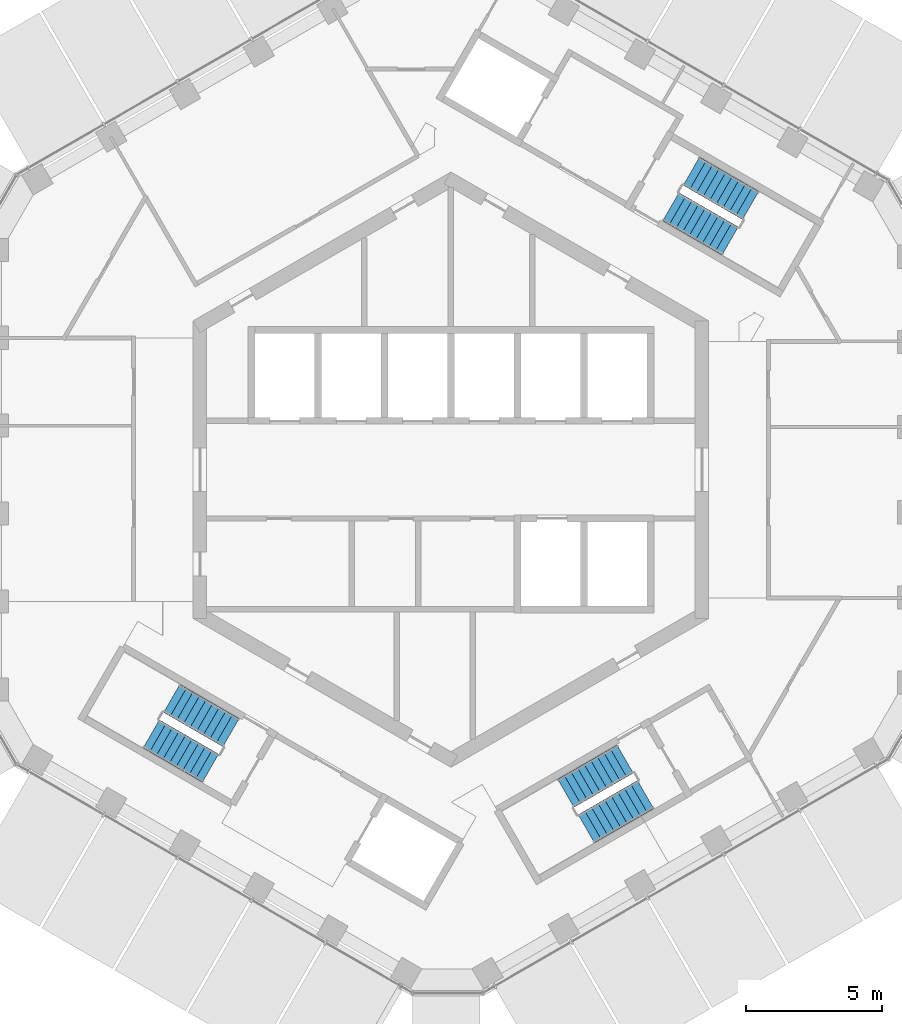
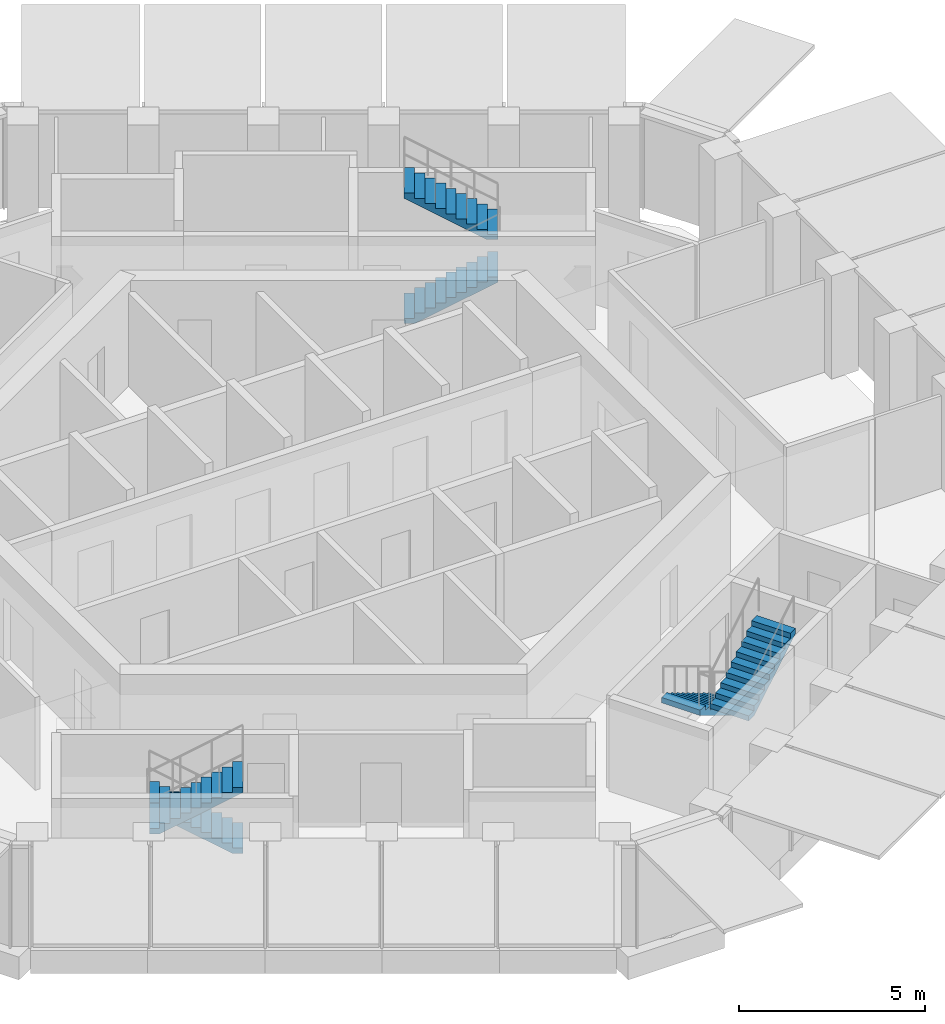
# One storey, part 16 of 17: 6 stair flights, 3 elements without a shape of their own.
"""IFC4 building model written with IfcOpenShell, lengths in metres."""

from ifc_helpers import new_model, si_unit, direction, frame, origin, place, context, subcontext, project, spatial, triangles, material, type_object, element, aggregate, save


model = new_model("IFC4")

# Units and contexts
model_context = context("Model", 3, precision=1e-05, world=origin(), true_north=direction((0.0, 1.0)))
body_context = subcontext(model_context, "Body", "Model", "MODEL_VIEW")
ifc_project = project(units=[si_unit("LENGTHUNIT", "METRE"), si_unit("AREAUNIT", "SQUARE_METRE"), si_unit("VOLUMEUNIT", "CUBIC_METRE"), si_unit("PLANEANGLEUNIT", "RADIAN"), si_unit("MASSUNIT", "GRAM", prefix="KILO")], contexts=[model_context])

# Site, building, storey
site_placement = place(None, origin())
site = spatial("IfcSite", under=ifc_project, at=site_placement, CompositionType="ELEMENT")
building_placement = place(site_placement, origin())
building = spatial("IfcBuilding", under=site, at=building_placement, Name="Ayvan Gate Tower", CompositionType="ELEMENT")
storey_placement = place(building_placement, frame((0.0, 0.0, 225.699951171875)))
storey = spatial("IfcBuildingStorey", under=building, at=storey_placement, Name="L60", CompositionType="ELEMENT", Elevation=225.699951171875)

# Stair, stair flights
ifc_material = material(Name="Concrete C40/50", Category="concrete")
stair_type = type_object("IfcStairType", Name="ST-EXIT", PredefinedType="HALF_TURN_STAIR", material=ifc_material)
stair_1_placement = place(storey_placement, origin())
stair_1 = element("IfcStair", 1, at=stair_1_placement, inside=storey, type_object=stair_type, Name="L60 Exit Stair S1", PredefinedType="HALF_TURN_STAIR")
stair_flight_type = type_object("IfcStairFlightType", Name="SFL-EXIT", PredefinedType="STRAIGHT", material=ifc_material)
stair_flight_1_placement = place(storey_placement, frame((8.106201171875, 9.690185546875, 0.0), z_axis=(0.0, 0.0, 1.0), x_axis=(0.866025403784, -0.5, 0.0)))
stair_flight_1 = element("IfcStairFlight", 2, at=stair_flight_1_placement, type_object=stair_flight_type, Name="STS1 flight 1", NumberOfRisers=10, NumberOfTreads=9, PredefinedType="STRAIGHT", RiserHeight=0.17, TreadLength=0.28, context=body_context, shape_type="Tessellation", body=[
    triangles([(0.288841, -0.599976, 0.0), (2.5205, -0.599976, 1.354936), (2.5205, -0.599976, 1.53), (2.24, -0.599976, 1.53), (2.24, -0.599976, 1.36), (1.96, -0.599976, 1.36), (1.96, -0.599976, 1.19), (1.68, -0.599976, 1.19), (1.68, -0.599976, 1.02), (1.4, -0.599976, 1.02), (1.4, -0.599976, 0.85), (1.12, -0.599976, 0.85), (1.12, -0.599976, 0.68), (0.84, -0.599976, 0.68), (0.84, -0.599976, 0.51), (0.56, -0.599976, 0.51), (0.56, -0.599976, 0.34), (0.28, -0.599976, 0.34), (0.28, -0.599976, 0.17), (-0.0005, -0.599976, 0.17), (-0.0005, -0.599976, 0.0), (0.288841, 0.0, 0.0), (2.5205, 0.0, 1.354936), (2.5205, 0.0, 1.53), (2.24, 0.0, 1.53), (2.24, 0.0, 1.36), (1.96, 0.0, 1.36), (1.96, 0.0, 1.19), (1.68, 0.0, 1.19), (1.68, 0.0, 1.02), (1.4, 0.0, 1.02), (1.4, 0.0, 0.85), (1.12, 0.0, 0.85), (1.12, 0.0, 0.68), (0.84, 0.0, 0.68), (0.84, 0.0, 0.51), (0.56, 0.0, 0.51), (0.56, 0.0, 0.34), (0.28, 0.0, 0.34), (0.28, 0.0, 0.17), (-0.0005, 0.0, 0.17), (-0.0005, 0.0, 0.0), (0.288841, 0.599976, 0.0), (2.5205, 0.599976, 1.354936), (2.5205, 0.599976, 1.53), (2.24, 0.599976, 1.53), (2.24, 0.599976, 1.36), (1.96, 0.599976, 1.36), (1.96, 0.599976, 1.19), (1.68, 0.599976, 1.19), (1.68, 0.599976, 1.02), (1.4, 0.599976, 1.02), (1.4, 0.599976, 0.85), (1.12, 0.599976, 0.85), (1.12, 0.599976, 0.68), (0.84, 0.599976, 0.68), (0.84, 0.599976, 0.51), (0.56, 0.599976, 0.51), (0.56, 0.599976, 0.34), (0.28, 0.599976, 0.34), (0.28, 0.599976, 0.17), (-0.0005, 0.599976, 0.17), (-0.0005, 0.599976, 0.0)], [[21, 1, 2], [63, 44, 43], [2, 3, 4], [44, 46, 45], [2, 4, 5], [44, 47, 46], [2, 5, 6], [44, 48, 47], [2, 6, 7], [44, 49, 48], [7, 8, 9], [49, 51, 50], [2, 7, 9], [44, 51, 49], [9, 10, 11], [51, 53, 52], [2, 9, 11], [44, 53, 51], [11, 12, 13], [53, 55, 54], [2, 11, 13], [44, 55, 53], [13, 14, 15], [55, 57, 56], [2, 13, 15], [44, 57, 55], [15, 16, 17], [57, 59, 58], [2, 15, 17], [44, 59, 57], [17, 18, 19], [59, 61, 60], [2, 17, 19], [44, 61, 59], [21, 2, 19], [63, 61, 44], [19, 20, 21], [61, 63, 62], [1, 22, 23], [1, 23, 2], [43, 23, 22], [43, 44, 23], [2, 23, 24], [2, 24, 3], [44, 24, 23], [44, 45, 24], [3, 24, 25], [3, 25, 4], [45, 25, 24], [45, 46, 25], [4, 25, 26], [4, 26, 5], [46, 26, 25], [46, 47, 26], [5, 26, 27], [5, 27, 6], [47, 27, 26], [47, 48, 27], [6, 27, 28], [6, 28, 7], [48, 28, 27], [48, 49, 28], [7, 28, 29], [7, 29, 8], [49, 29, 28], [49, 50, 29], [8, 29, 30], [8, 30, 9], [50, 30, 29], [50, 51, 30], [9, 30, 31], [9, 31, 10], [51, 31, 30], [51, 52, 31], [10, 31, 32], [10, 32, 11], [52, 32, 31], [52, 53, 32], [11, 32, 33], [11, 33, 12], [53, 33, 32], [53, 54, 33], [12, 33, 34], [12, 34, 13], [54, 34, 33], [54, 55, 34], [13, 34, 35], [13, 35, 14], [55, 35, 34], [55, 56, 35], [14, 35, 36], [14, 36, 15], [56, 36, 35], [56, 57, 36], [15, 36, 37], [15, 37, 16], [57, 37, 36], [57, 58, 37], [16, 37, 38], [16, 38, 17], [58, 38, 37], [58, 59, 38], [17, 38, 39], [17, 39, 18], [59, 39, 38], [59, 60, 39], [18, 39, 40], [18, 40, 19], [60, 40, 39], [60, 61, 40], [19, 40, 41], [19, 41, 20], [61, 41, 40], [61, 62, 41], [20, 41, 42], [20, 42, 21], [62, 42, 41], [62, 63, 42], [21, 42, 22], [21, 22, 1], [63, 22, 42], [63, 43, 22]], closed=True),
])
stair_flight_2_placement = place(storey_placement, frame((11.04345703125, 9.73779296875, 1.699951171875), z_axis=(0.0, 0.0, 1.0), x_axis=(-0.866025403784, 0.5, 0.0)))
stair_flight_2 = element("IfcStairFlight", 3, at=stair_flight_2_placement, type_object=stair_flight_type, Name="STS1 flight 2", NumberOfRisers=10, NumberOfTreads=9, PredefinedType="STRAIGHT", RiserHeight=0.17, TreadLength=0.28, context=body_context, shape_type="Tessellation", body=[
    triangles([(0.288841, -0.599976, 0.0), (2.5205, -0.599976, 1.354936), (2.5205, -0.599976, 1.53), (2.24, -0.599976, 1.53), (2.24, -0.599976, 1.36), (1.96, -0.599976, 1.36), (1.96, -0.599976, 1.19), (1.68, -0.599976, 1.19), (1.68, -0.599976, 1.02), (1.4, -0.599976, 1.02), (1.4, -0.599976, 0.85), (1.12, -0.599976, 0.85), (1.12, -0.599976, 0.68), (0.84, -0.599976, 0.68), (0.84, -0.599976, 0.51), (0.56, -0.599976, 0.51), (0.56, -0.599976, 0.34), (0.28, -0.599976, 0.34), (0.28, -0.599976, 0.17), (-0.0005, -0.599976, 0.17), (-0.0005, -0.599976, 0.0), (0.288841, 0.0, 0.0), (2.5205, 0.0, 1.354936), (2.5205, 0.0, 1.53), (2.24, 0.0, 1.53), (2.24, 0.0, 1.36), (1.96, 0.0, 1.36), (1.96, 0.0, 1.19), (1.68, 0.0, 1.19), (1.68, 0.0, 1.02), (1.4, 0.0, 1.02), (1.4, 0.0, 0.85), (1.12, 0.0, 0.85), (1.12, 0.0, 0.68), (0.84, 0.0, 0.68), (0.84, 0.0, 0.51), (0.56, 0.0, 0.51), (0.56, 0.0, 0.34), (0.28, 0.0, 0.34), (0.28, 0.0, 0.17), (-0.0005, 0.0, 0.17), (-0.0005, 0.0, 0.0), (0.288841, 0.599976, 0.0), (2.5205, 0.599976, 1.354936), (2.5205, 0.599976, 1.53), (2.24, 0.599976, 1.53), (2.24, 0.599976, 1.36), (1.96, 0.599976, 1.36), (1.96, 0.599976, 1.19), (1.68, 0.599976, 1.19), (1.68, 0.599976, 1.02), (1.4, 0.599976, 1.02), (1.4, 0.599976, 0.85), (1.12, 0.599976, 0.85), (1.12, 0.599976, 0.68), (0.84, 0.599976, 0.68), (0.84, 0.599976, 0.51), (0.56, 0.599976, 0.51), (0.56, 0.599976, 0.34), (0.28, 0.599976, 0.34), (0.28, 0.599976, 0.17), (-0.0005, 0.599976, 0.17), (-0.0005, 0.599976, 0.0)], [[21, 1, 2], [63, 44, 43], [2, 3, 4], [44, 46, 45], [2, 4, 5], [44, 47, 46], [2, 5, 6], [44, 48, 47], [2, 6, 7], [44, 49, 48], [7, 8, 9], [49, 51, 50], [2, 7, 9], [44, 51, 49], [9, 10, 11], [51, 53, 52], [2, 9, 11], [44, 53, 51], [11, 12, 13], [53, 55, 54], [2, 11, 13], [44, 55, 53], [13, 14, 15], [55, 57, 56], [2, 13, 15], [44, 57, 55], [15, 16, 17], [57, 59, 58], [2, 15, 17], [44, 59, 57], [17, 18, 19], [59, 61, 60], [2, 17, 19], [44, 61, 59], [21, 2, 19], [63, 61, 44], [19, 20, 21], [61, 63, 62], [1, 22, 23], [1, 23, 2], [43, 23, 22], [43, 44, 23], [2, 23, 24], [2, 24, 3], [44, 24, 23], [44, 45, 24], [3, 24, 25], [3, 25, 4], [45, 25, 24], [45, 46, 25], [4, 25, 26], [4, 26, 5], [46, 26, 25], [46, 47, 26], [5, 26, 27], [5, 27, 6], [47, 27, 26], [47, 48, 27], [6, 27, 28], [6, 28, 7], [48, 28, 27], [48, 49, 28], [7, 28, 29], [7, 29, 8], [49, 29, 28], [49, 50, 29], [8, 29, 30], [8, 30, 9], [50, 30, 29], [50, 51, 30], [9, 30, 31], [9, 31, 10], [51, 31, 30], [51, 52, 31], [10, 31, 32], [10, 32, 11], [52, 32, 31], [52, 53, 32], [11, 32, 33], [11, 33, 12], [53, 33, 32], [53, 54, 33], [12, 33, 34], [12, 34, 13], [54, 34, 33], [54, 55, 34], [13, 34, 35], [13, 35, 14], [55, 35, 34], [55, 56, 35], [14, 35, 36], [14, 36, 15], [56, 36, 35], [56, 57, 36], [15, 36, 37], [15, 37, 16], [57, 37, 36], [57, 58, 37], [16, 37, 38], [16, 38, 17], [58, 38, 37], [58, 59, 38], [17, 38, 39], [17, 39, 18], [59, 39, 38], [59, 60, 39], [18, 39, 40], [18, 40, 19], [60, 40, 39], [60, 61, 40], [19, 40, 41], [19, 41, 20], [61, 41, 40], [61, 62, 41], [20, 41, 42], [20, 42, 21], [62, 42, 41], [62, 63, 42], [21, 42, 22], [21, 22, 1], [63, 22, 42], [63, 43, 22]], closed=True),
])
aggregate(stair_1, [stair_flight_1, stair_flight_2])

stair_2_placement = place(storey_placement, origin())
stair_2 = element("IfcStair", 4, at=stair_2_placement, inside=storey, type_object=stair_type, Name="L60 Exit Stair S2", PredefinedType="HALF_TURN_STAIR")
stair_flight_3_placement = place(storey_placement, frame((-8.106201171875, -9.690185546875, 0.0), z_axis=(0.0, 0.0, 1.0), x_axis=(-0.866025403784, 0.5, 0.0)))
stair_flight_3 = element("IfcStairFlight", 5, at=stair_flight_3_placement, type_object=stair_flight_type, Name="STS2 flight 1", NumberOfRisers=10, NumberOfTreads=9, PredefinedType="STRAIGHT", RiserHeight=0.17, TreadLength=0.28, context=body_context, shape_type="Tessellation", body=[
    triangles([(0.288841, -0.599976, 0.0), (2.5205, -0.599976, 1.354936), (2.5205, -0.599976, 1.53), (2.24, -0.599976, 1.53), (2.24, -0.599976, 1.36), (1.96, -0.599976, 1.36), (1.96, -0.599976, 1.19), (1.68, -0.599976, 1.19), (1.68, -0.599976, 1.02), (1.4, -0.599976, 1.02), (1.4, -0.599976, 0.85), (1.12, -0.599976, 0.85), (1.12, -0.599976, 0.68), (0.84, -0.599976, 0.68), (0.84, -0.599976, 0.51), (0.56, -0.599976, 0.51), (0.56, -0.599976, 0.34), (0.28, -0.599976, 0.34), (0.28, -0.599976, 0.17), (-0.0005, -0.599976, 0.17), (-0.0005, -0.599976, 0.0), (0.288841, 0.0, 0.0), (2.5205, 0.0, 1.354936), (2.5205, 0.0, 1.53), (2.24, 0.0, 1.53), (2.24, 0.0, 1.36), (1.96, 0.0, 1.36), (1.96, 0.0, 1.19), (1.68, 0.0, 1.19), (1.68, 0.0, 1.02), (1.4, 0.0, 1.02), (1.4, 0.0, 0.85), (1.12, 0.0, 0.85), (1.12, 0.0, 0.68), (0.84, 0.0, 0.68), (0.84, 0.0, 0.51), (0.56, 0.0, 0.51), (0.56, 0.0, 0.34), (0.28, 0.0, 0.34), (0.28, 0.0, 0.17), (-0.0005, 0.0, 0.17), (-0.0005, 0.0, 0.0), (0.288841, 0.599976, 0.0), (2.5205, 0.599976, 1.354936), (2.5205, 0.599976, 1.53), (2.24, 0.599976, 1.53), (2.24, 0.599976, 1.36), (1.96, 0.599976, 1.36), (1.96, 0.599976, 1.19), (1.68, 0.599976, 1.19), (1.68, 0.599976, 1.02), (1.4, 0.599976, 1.02), (1.4, 0.599976, 0.85), (1.12, 0.599976, 0.85), (1.12, 0.599976, 0.68), (0.84, 0.599976, 0.68), (0.84, 0.599976, 0.51), (0.56, 0.599976, 0.51), (0.56, 0.599976, 0.34), (0.28, 0.599976, 0.34), (0.28, 0.599976, 0.17), (-0.0005, 0.599976, 0.17), (-0.0005, 0.599976, 0.0)], [[21, 1, 2], [63, 44, 43], [2, 3, 4], [44, 46, 45], [2, 4, 5], [44, 47, 46], [2, 5, 6], [44, 48, 47], [2, 6, 7], [44, 49, 48], [7, 8, 9], [49, 51, 50], [2, 7, 9], [44, 51, 49], [9, 10, 11], [51, 53, 52], [2, 9, 11], [44, 53, 51], [11, 12, 13], [53, 55, 54], [2, 11, 13], [44, 55, 53], [13, 14, 15], [55, 57, 56], [2, 13, 15], [44, 57, 55], [15, 16, 17], [57, 59, 58], [2, 15, 17], [44, 59, 57], [17, 18, 19], [59, 61, 60], [2, 17, 19], [44, 61, 59], [21, 2, 19], [63, 61, 44], [19, 20, 21], [61, 63, 62], [1, 22, 23], [1, 23, 2], [43, 23, 22], [43, 44, 23], [2, 23, 24], [2, 24, 3], [44, 24, 23], [44, 45, 24], [3, 24, 25], [3, 25, 4], [45, 25, 24], [45, 46, 25], [4, 25, 26], [4, 26, 5], [46, 26, 25], [46, 47, 26], [5, 26, 27], [5, 27, 6], [47, 27, 26], [47, 48, 27], [6, 27, 28], [6, 28, 7], [48, 28, 27], [48, 49, 28], [7, 28, 29], [7, 29, 8], [49, 29, 28], [49, 50, 29], [8, 29, 30], [8, 30, 9], [50, 30, 29], [50, 51, 30], [9, 30, 31], [9, 31, 10], [51, 31, 30], [51, 52, 31], [10, 31, 32], [10, 32, 11], [52, 32, 31], [52, 53, 32], [11, 32, 33], [11, 33, 12], [53, 33, 32], [53, 54, 33], [12, 33, 34], [12, 34, 13], [54, 34, 33], [54, 55, 34], [13, 34, 35], [13, 35, 14], [55, 35, 34], [55, 56, 35], [14, 35, 36], [14, 36, 15], [56, 36, 35], [56, 57, 36], [15, 36, 37], [15, 37, 16], [57, 37, 36], [57, 58, 37], [16, 37, 38], [16, 38, 17], [58, 38, 37], [58, 59, 38], [17, 38, 39], [17, 39, 18], [59, 39, 38], [59, 60, 39], [18, 39, 40], [18, 40, 19], [60, 40, 39], [60, 61, 40], [19, 40, 41], [19, 41, 20], [61, 41, 40], [61, 62, 41], [20, 41, 42], [20, 42, 21], [62, 42, 41], [62, 63, 42], [21, 42, 22], [21, 22, 1], [63, 22, 42], [63, 43, 22]], closed=True),
])
stair_flight_4_placement = place(storey_placement, frame((-11.04345703125, -9.73779296875, 1.699951171875), z_axis=(0.0, 0.0, 1.0), x_axis=(0.866025403784, -0.5, 0.0)))
stair_flight_4 = element("IfcStairFlight", 6, at=stair_flight_4_placement, type_object=stair_flight_type, Name="STS2 flight 2", NumberOfRisers=10, NumberOfTreads=9, PredefinedType="STRAIGHT", RiserHeight=0.17, TreadLength=0.28, context=body_context, shape_type="Tessellation", body=[
    triangles([(0.288841, -0.599976, 0.0), (2.5205, -0.599976, 1.354936), (2.5205, -0.599976, 1.53), (2.24, -0.599976, 1.53), (2.24, -0.599976, 1.36), (1.96, -0.599976, 1.36), (1.96, -0.599976, 1.19), (1.68, -0.599976, 1.19), (1.68, -0.599976, 1.02), (1.4, -0.599976, 1.02), (1.4, -0.599976, 0.85), (1.12, -0.599976, 0.85), (1.12, -0.599976, 0.68), (0.84, -0.599976, 0.68), (0.84, -0.599976, 0.51), (0.56, -0.599976, 0.51), (0.56, -0.599976, 0.34), (0.28, -0.599976, 0.34), (0.28, -0.599976, 0.17), (-0.0005, -0.599976, 0.17), (-0.0005, -0.599976, 0.0), (0.288841, 0.0, 0.0), (2.5205, 0.0, 1.354936), (2.5205, 0.0, 1.53), (2.24, 0.0, 1.53), (2.24, 0.0, 1.36), (1.96, 0.0, 1.36), (1.96, 0.0, 1.19), (1.68, 0.0, 1.19), (1.68, 0.0, 1.02), (1.4, 0.0, 1.02), (1.4, 0.0, 0.85), (1.12, 0.0, 0.85), (1.12, 0.0, 0.68), (0.84, 0.0, 0.68), (0.84, 0.0, 0.51), (0.56, 0.0, 0.51), (0.56, 0.0, 0.34), (0.28, 0.0, 0.34), (0.28, 0.0, 0.17), (-0.0005, 0.0, 0.17), (-0.0005, 0.0, 0.0), (0.288841, 0.599976, 0.0), (2.5205, 0.599976, 1.354936), (2.5205, 0.599976, 1.53), (2.24, 0.599976, 1.53), (2.24, 0.599976, 1.36), (1.96, 0.599976, 1.36), (1.96, 0.599976, 1.19), (1.68, 0.599976, 1.19), (1.68, 0.599976, 1.02), (1.4, 0.599976, 1.02), (1.4, 0.599976, 0.85), (1.12, 0.599976, 0.85), (1.12, 0.599976, 0.68), (0.84, 0.599976, 0.68), (0.84, 0.599976, 0.51), (0.56, 0.599976, 0.51), (0.56, 0.599976, 0.34), (0.28, 0.599976, 0.34), (0.28, 0.599976, 0.17), (-0.0005, 0.599976, 0.17), (-0.0005, 0.599976, 0.0)], [[21, 1, 2], [63, 44, 43], [2, 3, 4], [44, 46, 45], [2, 4, 5], [44, 47, 46], [2, 5, 6], [44, 48, 47], [2, 6, 7], [44, 49, 48], [7, 8, 9], [49, 51, 50], [2, 7, 9], [44, 51, 49], [9, 10, 11], [51, 53, 52], [2, 9, 11], [44, 53, 51], [11, 12, 13], [53, 55, 54], [2, 11, 13], [44, 55, 53], [13, 14, 15], [55, 57, 56], [2, 13, 15], [44, 57, 55], [15, 16, 17], [57, 59, 58], [2, 15, 17], [44, 59, 57], [17, 18, 19], [59, 61, 60], [2, 17, 19], [44, 61, 59], [21, 2, 19], [63, 61, 44], [19, 20, 21], [61, 63, 62], [1, 22, 23], [1, 23, 2], [43, 23, 22], [43, 44, 23], [2, 23, 24], [2, 24, 3], [44, 24, 23], [44, 45, 24], [3, 24, 25], [3, 25, 4], [45, 25, 24], [45, 46, 25], [4, 25, 26], [4, 26, 5], [46, 26, 25], [46, 47, 26], [5, 26, 27], [5, 27, 6], [47, 27, 26], [47, 48, 27], [6, 27, 28], [6, 28, 7], [48, 28, 27], [48, 49, 28], [7, 28, 29], [7, 29, 8], [49, 29, 28], [49, 50, 29], [8, 29, 30], [8, 30, 9], [50, 30, 29], [50, 51, 30], [9, 30, 31], [9, 31, 10], [51, 31, 30], [51, 52, 31], [10, 31, 32], [10, 32, 11], [52, 32, 31], [52, 53, 32], [11, 32, 33], [11, 33, 12], [53, 33, 32], [53, 54, 33], [12, 33, 34], [12, 34, 13], [54, 34, 33], [54, 55, 34], [13, 34, 35], [13, 35, 14], [55, 35, 34], [55, 56, 35], [14, 35, 36], [14, 36, 15], [56, 36, 35], [56, 57, 36], [15, 36, 37], [15, 37, 16], [57, 37, 36], [57, 58, 37], [16, 37, 38], [16, 38, 17], [58, 38, 37], [58, 59, 38], [17, 38, 39], [17, 39, 18], [59, 39, 38], [59, 60, 39], [18, 39, 40], [18, 40, 19], [60, 40, 39], [60, 61, 40], [19, 40, 41], [19, 41, 20], [61, 41, 40], [61, 62, 41], [20, 41, 42], [20, 42, 21], [62, 42, 41], [62, 63, 42], [21, 42, 22], [21, 22, 1], [63, 22, 42], [63, 43, 22]], closed=True),
])
aggregate(stair_2, [stair_flight_3, stair_flight_4])

stair_3_placement = place(storey_placement, origin())
stair_3 = element("IfcStair", 7, at=stair_3_placement, inside=storey, type_object=stair_type, Name="L60 Exit Stair S3", PredefinedType="HALF_TURN_STAIR")
stair_flight_5_placement = place(storey_placement, frame((6.417236328125, -10.665283203125, 0.0), z_axis=(0.0, 0.0, 1.0), x_axis=(-0.866025403784, -0.5, 0.0)))
stair_flight_5 = element("IfcStairFlight", 8, at=stair_flight_5_placement, type_object=stair_flight_type, Name="STS3 flight 1", NumberOfRisers=10, NumberOfTreads=9, PredefinedType="STRAIGHT", RiserHeight=0.17, TreadLength=0.28, context=body_context, shape_type="Tessellation", body=[
    triangles([(0.288841, -0.599976, 0.0), (2.5205, -0.599976, 1.354936), (2.5205, -0.599976, 1.53), (2.24, -0.599976, 1.53), (2.24, -0.599976, 1.36), (1.96, -0.599976, 1.36), (1.96, -0.599976, 1.19), (1.68, -0.599976, 1.19), (1.68, -0.599976, 1.02), (1.4, -0.599976, 1.02), (1.4, -0.599976, 0.85), (1.12, -0.599976, 0.85), (1.12, -0.599976, 0.68), (0.84, -0.599976, 0.68), (0.84, -0.599976, 0.51), (0.56, -0.599976, 0.51), (0.56, -0.599976, 0.34), (0.28, -0.599976, 0.34), (0.28, -0.599976, 0.17), (-0.0005, -0.599976, 0.17), (-0.0005, -0.599976, 0.0), (0.288841, 0.0, 0.0), (2.5205, 0.0, 1.354936), (2.5205, 0.0, 1.53), (2.24, 0.0, 1.53), (2.24, 0.0, 1.36), (1.96, 0.0, 1.36), (1.96, 0.0, 1.19), (1.68, 0.0, 1.19), (1.68, 0.0, 1.02), (1.4, 0.0, 1.02), (1.4, 0.0, 0.85), (1.12, 0.0, 0.85), (1.12, 0.0, 0.68), (0.84, 0.0, 0.68), (0.84, 0.0, 0.51), (0.56, 0.0, 0.51), (0.56, 0.0, 0.34), (0.28, 0.0, 0.34), (0.28, 0.0, 0.17), (-0.0005, 0.0, 0.17), (-0.0005, 0.0, 0.0), (0.288841, 0.599976, 0.0), (2.5205, 0.599976, 1.354936), (2.5205, 0.599976, 1.53), (2.24, 0.599976, 1.53), (2.24, 0.599976, 1.36), (1.96, 0.599976, 1.36), (1.96, 0.599976, 1.19), (1.68, 0.599976, 1.19), (1.68, 0.599976, 1.02), (1.4, 0.599976, 1.02), (1.4, 0.599976, 0.85), (1.12, 0.599976, 0.85), (1.12, 0.599976, 0.68), (0.84, 0.599976, 0.68), (0.84, 0.599976, 0.51), (0.56, 0.599976, 0.51), (0.56, 0.599976, 0.34), (0.28, 0.599976, 0.34), (0.28, 0.599976, 0.17), (-0.0005, 0.599976, 0.17), (-0.0005, 0.599976, 0.0)], [[21, 1, 2], [63, 44, 43], [2, 3, 4], [44, 46, 45], [2, 4, 5], [44, 47, 46], [2, 5, 6], [44, 48, 47], [2, 6, 7], [44, 49, 48], [7, 8, 9], [49, 51, 50], [2, 7, 9], [44, 51, 49], [9, 10, 11], [51, 53, 52], [2, 9, 11], [44, 53, 51], [11, 12, 13], [53, 55, 54], [2, 11, 13], [44, 55, 53], [13, 14, 15], [55, 57, 56], [2, 13, 15], [44, 57, 55], [15, 16, 17], [57, 59, 58], [2, 15, 17], [44, 59, 57], [17, 18, 19], [59, 61, 60], [2, 17, 19], [44, 61, 59], [21, 2, 19], [63, 61, 44], [19, 20, 21], [61, 63, 62], [1, 22, 23], [1, 23, 2], [43, 23, 22], [43, 44, 23], [2, 23, 24], [2, 24, 3], [44, 24, 23], [44, 45, 24], [3, 24, 25], [3, 25, 4], [45, 25, 24], [45, 46, 25], [4, 25, 26], [4, 26, 5], [46, 26, 25], [46, 47, 26], [5, 26, 27], [5, 27, 6], [47, 27, 26], [47, 48, 27], [6, 27, 28], [6, 28, 7], [48, 28, 27], [48, 49, 28], [7, 28, 29], [7, 29, 8], [49, 29, 28], [49, 50, 29], [8, 29, 30], [8, 30, 9], [50, 30, 29], [50, 51, 30], [9, 30, 31], [9, 31, 10], [51, 31, 30], [51, 52, 31], [10, 31, 32], [10, 32, 11], [52, 32, 31], [52, 53, 32], [11, 32, 33], [11, 33, 12], [53, 33, 32], [53, 54, 33], [12, 33, 34], [12, 34, 13], [54, 34, 33], [54, 55, 34], [13, 34, 35], [13, 35, 14], [55, 35, 34], [55, 56, 35], [14, 35, 36], [14, 36, 15], [56, 36, 35], [56, 57, 36], [15, 36, 37], [15, 37, 16], [57, 37, 36], [57, 58, 37], [16, 37, 38], [16, 38, 17], [58, 38, 37], [58, 59, 38], [17, 38, 39], [17, 39, 18], [59, 39, 38], [59, 60, 39], [18, 39, 40], [18, 40, 19], [60, 40, 39], [60, 61, 40], [19, 40, 41], [19, 41, 20], [61, 41, 40], [61, 62, 41], [20, 41, 42], [20, 42, 21], [62, 42, 41], [62, 63, 42], [21, 42, 22], [21, 22, 1], [63, 22, 42], [63, 43, 22]], closed=True),
])
stair_flight_6_placement = place(storey_placement, frame((4.989990234375, -13.23291015625, 1.699951171875), z_axis=(0.0, 0.0, 1.0), x_axis=(0.866025403784, 0.5, 0.0)))
stair_flight_6 = element("IfcStairFlight", 9, at=stair_flight_6_placement, type_object=stair_flight_type, Name="STS3 flight 2", NumberOfRisers=10, NumberOfTreads=9, PredefinedType="STRAIGHT", RiserHeight=0.17, TreadLength=0.28, context=body_context, shape_type="Tessellation", body=[
    triangles([(0.288841, -0.599976, 0.0), (2.5205, -0.599976, 1.354936), (2.5205, -0.599976, 1.53), (2.24, -0.599976, 1.53), (2.24, -0.599976, 1.36), (1.96, -0.599976, 1.36), (1.96, -0.599976, 1.19), (1.68, -0.599976, 1.19), (1.68, -0.599976, 1.02), (1.4, -0.599976, 1.02), (1.4, -0.599976, 0.85), (1.12, -0.599976, 0.85), (1.12, -0.599976, 0.68), (0.84, -0.599976, 0.68), (0.84, -0.599976, 0.51), (0.56, -0.599976, 0.51), (0.56, -0.599976, 0.34), (0.28, -0.599976, 0.34), (0.28, -0.599976, 0.17), (-0.0005, -0.599976, 0.17), (-0.0005, -0.599976, 0.0), (0.288841, 0.0, 0.0), (2.5205, 0.0, 1.354936), (2.5205, 0.0, 1.53), (2.24, 0.0, 1.53), (2.24, 0.0, 1.36), (1.96, 0.0, 1.36), (1.96, 0.0, 1.19), (1.68, 0.0, 1.19), (1.68, 0.0, 1.02), (1.4, 0.0, 1.02), (1.4, 0.0, 0.85), (1.12, 0.0, 0.85), (1.12, 0.0, 0.68), (0.84, 0.0, 0.68), (0.84, 0.0, 0.51), (0.56, 0.0, 0.51), (0.56, 0.0, 0.34), (0.28, 0.0, 0.34), (0.28, 0.0, 0.17), (-0.0005, 0.0, 0.17), (-0.0005, 0.0, 0.0), (0.288841, 0.599976, 0.0), (2.5205, 0.599976, 1.354936), (2.5205, 0.599976, 1.53), (2.24, 0.599976, 1.53), (2.24, 0.599976, 1.36), (1.96, 0.599976, 1.36), (1.96, 0.599976, 1.19), (1.68, 0.599976, 1.19), (1.68, 0.599976, 1.02), (1.4, 0.599976, 1.02), (1.4, 0.599976, 0.85), (1.12, 0.599976, 0.85), (1.12, 0.599976, 0.68), (0.84, 0.599976, 0.68), (0.84, 0.599976, 0.51), (0.56, 0.599976, 0.51), (0.56, 0.599976, 0.34), (0.28, 0.599976, 0.34), (0.28, 0.599976, 0.17), (-0.0005, 0.599976, 0.17), (-0.0005, 0.599976, 0.0)], [[21, 1, 2], [63, 44, 43], [2, 3, 4], [44, 46, 45], [2, 4, 5], [44, 47, 46], [2, 5, 6], [44, 48, 47], [2, 6, 7], [44, 49, 48], [7, 8, 9], [49, 51, 50], [2, 7, 9], [44, 51, 49], [9, 10, 11], [51, 53, 52], [2, 9, 11], [44, 53, 51], [11, 12, 13], [53, 55, 54], [2, 11, 13], [44, 55, 53], [13, 14, 15], [55, 57, 56], [2, 13, 15], [44, 57, 55], [15, 16, 17], [57, 59, 58], [2, 15, 17], [44, 59, 57], [17, 18, 19], [59, 61, 60], [2, 17, 19], [44, 61, 59], [21, 2, 19], [63, 61, 44], [19, 20, 21], [61, 63, 62], [1, 22, 23], [1, 23, 2], [43, 23, 22], [43, 44, 23], [2, 23, 24], [2, 24, 3], [44, 24, 23], [44, 45, 24], [3, 24, 25], [3, 25, 4], [45, 25, 24], [45, 46, 25], [4, 25, 26], [4, 26, 5], [46, 26, 25], [46, 47, 26], [5, 26, 27], [5, 27, 6], [47, 27, 26], [47, 48, 27], [6, 27, 28], [6, 28, 7], [48, 28, 27], [48, 49, 28], [7, 28, 29], [7, 29, 8], [49, 29, 28], [49, 50, 29], [8, 29, 30], [8, 30, 9], [50, 30, 29], [50, 51, 30], [9, 30, 31], [9, 31, 10], [51, 31, 30], [51, 52, 31], [10, 31, 32], [10, 32, 11], [52, 32, 31], [52, 53, 32], [11, 32, 33], [11, 33, 12], [53, 33, 32], [53, 54, 33], [12, 33, 34], [12, 34, 13], [54, 34, 33], [54, 55, 34], [13, 34, 35], [13, 35, 14], [55, 35, 34], [55, 56, 35], [14, 35, 36], [14, 36, 15], [56, 36, 35], [56, 57, 36], [15, 36, 37], [15, 37, 16], [57, 37, 36], [57, 58, 37], [16, 37, 38], [16, 38, 17], [58, 38, 37], [58, 59, 38], [17, 38, 39], [17, 39, 18], [59, 39, 38], [59, 60, 39], [18, 39, 40], [18, 40, 19], [60, 40, 39], [60, 61, 40], [19, 40, 41], [19, 41, 20], [61, 41, 40], [61, 62, 41], [20, 41, 42], [20, 42, 21], [62, 42, 41], [62, 63, 42], [21, 42, 22], [21, 22, 1], [63, 22, 42], [63, 43, 22]], closed=True),
])
aggregate(stair_3, [stair_flight_5, stair_flight_6])

save(model, "model.ifc")
